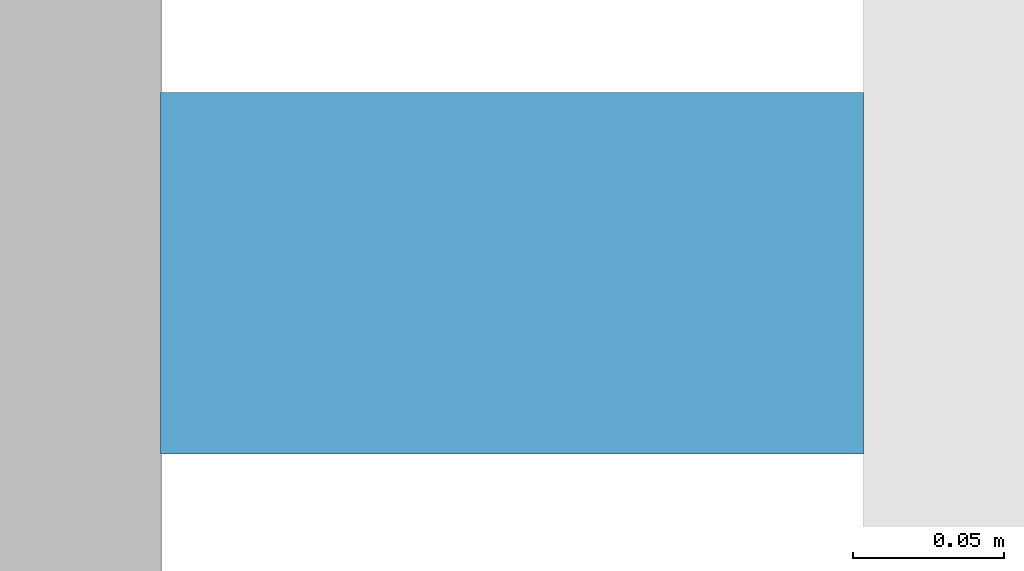
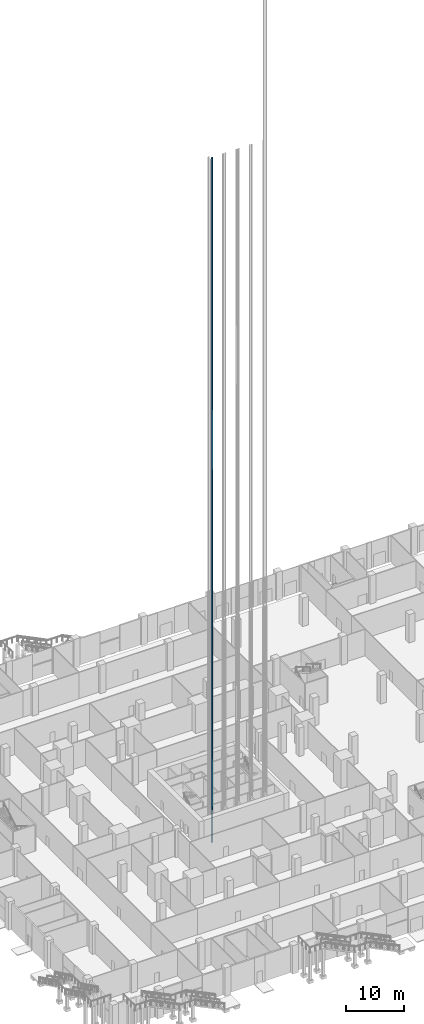
# One storey, part 42 of 68: 1 discrete accessory.
"""IFC4 building model written with IfcOpenShell, lengths in metres."""

import ifcopenshell
import ifcopenshell.guid

model = None  # the IFC model being written
_history = None  # IfcOwnerHistory: only IFC2X3 demands one
_inside = {}  # id of a spatial element -> (the spatial element, [elements in it])
_under = {}  # id of a project, library or spatial element -> (it, [spatial elements below it])
_declared = {}  # id of a project -> (the project, [libraries it declares])
_typed = {}  # id of a type object -> (the type object, [elements of that type])
_made_of = {}  # id of a material, layer set ... -> (it, [elements and type objects made of it])


def new_model(schema):
    """Start an empty IFC model of exactly this schema.

    Asked for "IFC4X3", IfcOpenShell would pick the latest addendum, in which some entities
    have other attributes; the version numbers below select the first issue.
    IFC2X3 requires an IfcOwnerHistory on every rooted entity: one is made here for all.
    """
    global model, _history
    if schema == "IFC4X3":
        model = ifcopenshell.file(schema_version=(4, 3, 0, 0))
    else:
        model = ifcopenshell.file(schema=schema)
    _inside.clear()
    _under.clear()
    _declared.clear()
    _typed.clear()
    _made_of.clear()
    _history = None
    if model.schema == "IFC2X3":
        org = make("IfcOrganization", Name="unknown")
        user = make(
            "IfcPersonAndOrganization",
            ThePerson=make("IfcPerson", FamilyName="unknown"),
            TheOrganization=org,
        )
        app = make(
            "IfcApplication",
            ApplicationDeveloper=org,
            Version="unknown",
            ApplicationFullName="unknown",
            ApplicationIdentifier="unknown",
        )
        _history = make(
            "IfcOwnerHistory",
            OwningUser=user,
            OwningApplication=app,
            ChangeAction="ADDED",
            CreationDate=0,
        )
    return model


def make(cls, **values):
    """One entity of the class cls with the attributes given. An attribute that is None is left unset."""
    return model.create_entity(
        cls, **{name: value for name, value in values.items() if value is not None}
    )


def rooted(cls, **values):
    """An entity with a GlobalId (a new one), such as an element, a storey or a relation."""
    return make(cls, GlobalId=ifcopenshell.guid.new(), OwnerHistory=_history, **values)


def si_unit(unit_type, name, prefix=None):
    """IfcSIUnit, for example si_unit("LENGTHUNIT", "METRE", prefix="MILLI")."""
    return make("IfcSIUnit", UnitType=unit_type, Prefix=prefix, Name=name)


def assignment(units):
    """IfcUnitAssignment: the units of a project."""
    return None if units is None else make("IfcUnitAssignment", Units=units)


def point(xyz):
    """IfcCartesianPoint."""
    return None if xyz is None else make("IfcCartesianPoint", Coordinates=xyz)


def direction(xyz):
    """IfcDirection."""
    return None if xyz is None else make("IfcDirection", DirectionRatios=xyz)


def frame(location, z_axis=None, x_axis=None):
    """IfcAxis2Placement3D, a coordinate frame: its origin and axes. An axis left out is left unset."""
    return make(
        "IfcAxis2Placement3D",
        Location=point(location),
        Axis=direction(z_axis),
        RefDirection=direction(x_axis),
    )


def frame_2d(location, x_axis=None):
    """IfcAxis2Placement2D, a coordinate frame in the plane: its origin and x axis."""
    return make(
        "IfcAxis2Placement2D", Location=point(location), RefDirection=direction(x_axis)
    )


def origin():
    """The frame at (0, 0, 0) with its axes left unset."""
    return frame((0.0, 0.0, 0.0))


def origin_2d():
    """The frame at (0, 0) in the plane with its x axis left unset."""
    return frame_2d((0.0, 0.0))


def place(relative_to, where):
    """IfcLocalPlacement: puts the frame where relative to a parent placement (None: the world)."""
    return make(
        "IfcLocalPlacement", PlacementRelTo=relative_to, RelativePlacement=where
    )


def context(
    kind, dimensions, precision=None, world=None, true_north=None, identifier=None
):
    """IfcGeometricRepresentationContext, for example the 3D "Model" context."""
    return make(
        "IfcGeometricRepresentationContext",
        ContextIdentifier=identifier,
        ContextType=kind,
        CoordinateSpaceDimension=dimensions,
        Precision=precision,
        WorldCoordinateSystem=world,
        TrueNorth=true_north,
    )


def subcontext(parent, identifier, kind, view, scale=None):
    """IfcGeometricRepresentationSubContext, for example "Body" below "Model"."""
    return make(
        "IfcGeometricRepresentationSubContext",
        ContextIdentifier=identifier,
        ContextType=kind,
        ParentContext=parent,
        TargetScale=scale,
        TargetView=view,
    )


def project(units=None, contexts=None):
    """IfcProject with its units and contexts."""
    return rooted(
        "IfcProject",
        Name="project",
        RepresentationContexts=contexts,
        UnitsInContext=assignment(units),
    )


def spatial(cls, under=None, at=None, **own):
    """A site, building, storey or space (cls), placed at a placement, below another one or the project."""
    s = rooted(cls, ObjectPlacement=at, **own)
    if under is not None:
        _under.setdefault(under.id(), (under, []))[1].append(s)
    return s


def profile(cls, at=None, kind="AREA", **sizes):
    """A parametric profile (cls). Its sizes go by their IFC names, for example OverallWidth=200.0."""
    return make(cls, ProfileType=kind, Position=at, **sizes)


def rectangle(**sizes):
    """IfcRectangleProfileDef."""
    return profile("IfcRectangleProfileDef", **sizes)


def extrude(swept, where, along, depth):
    """IfcExtrudedAreaSolid: the profile swept, set in the frame where, extruded along a direction by depth."""
    return make(
        "IfcExtrudedAreaSolid",
        SweptArea=swept,
        Position=where,
        ExtrudedDirection=direction(along),
        Depth=depth,
    )


def shape(context_of_items, identifier, shape_type, items):
    """IfcShapeRepresentation: the items that make up one representation, for example the "Body"."""
    return make(
        "IfcShapeRepresentation",
        ContextOfItems=context_of_items,
        RepresentationIdentifier=identifier,
        RepresentationType=shape_type,
        Items=items,
    )


def made_of(thing, what):
    """Note that an element or type object is made of a material, layer set ...; save() writes the relation."""
    if what is not None:
        _made_of.setdefault(what.id(), (what, []))[1].append(thing)
    return thing


def element(
    cls,
    number,
    at=None,
    inside=None,
    cuts=None,
    type_object=None,
    material=None,
    context=None,
    identifier="Body",
    shape_type=None,
    held_by="IfcProductDefinitionShape",
    body=None,
    shapes=None,
    **own,
):
    """One element of the class cls, such as IfcWall. Its Tag is "e" and its number.

    at: its placement. inside: the storey or other place that contains it. cuts: it is an
    opening in that element (IfcRelVoidsElement). A single representation is given by context,
    identifier, shape_type and body (its items); several are given by shapes. held_by: the class
    of the entity that holds the representations. save() writes the other relations.
    """
    e = rooted(cls, Tag="e%d" % number, ObjectPlacement=at, **own)
    if body is not None:
        shapes = [shape(context, identifier, shape_type, body)]
    if shapes is not None:
        e.Representation = make(held_by, Representations=shapes)
    if inside is not None:
        _inside.setdefault(inside.id(), (inside, []))[1].append(e)
    if cuts is not None:
        rooted(
            "IfcRelVoidsElement", RelatingBuildingElement=cuts, RelatedOpeningElement=e
        )
    if type_object is not None:
        _typed.setdefault(type_object.id(), (type_object, []))[1].append(e)
    return made_of(e, material)


def aggregate(whole, parts):
    """IfcRelAggregates: a whole, such as a stair, and the parts it consists of."""
    return rooted("IfcRelAggregates", RelatingObject=whole, RelatedObjects=parts)


def save(model, path):
    """Write the relations noted so far, then the file.

    IfcRelAggregates (storeys below a building ...), IfcRelContainedInSpatialStructure (elements
    in a storey), IfcRelDefinesByType, IfcRelAssociatesMaterial and IfcRelDeclares: one each for
    every whole, place, type object, material and project.
    """
    for whole, parts in _under.values():
        aggregate(whole, parts)
    for where, things in _inside.values():
        rooted(
            "IfcRelContainedInSpatialStructure",
            RelatedElements=things,
            RelatingStructure=where,
        )
    for kind, things in _typed.values():
        rooted("IfcRelDefinesByType", RelatedObjects=things, RelatingType=kind)
    for what, things in _made_of.values():
        rooted("IfcRelAssociatesMaterial", RelatedObjects=things, RelatingMaterial=what)
    for by, libraries in _declared.values():
        rooted("IfcRelDeclares", RelatingContext=by, RelatedDefinitions=libraries)
    model.write(path)


model = new_model("IFC4")

# Units and contexts
model_context = context("Model", 3, precision=1e-05, world=origin(), true_north=direction((0.0, 1.0)))
body_context = subcontext(model_context, "Body", "Model", "MODEL_VIEW")
ifc_project = project(units=[si_unit("LENGTHUNIT", "METRE"), si_unit("AREAUNIT", "SQUARE_METRE"), si_unit("VOLUMEUNIT", "CUBIC_METRE"), si_unit("PLANEANGLEUNIT", "RADIAN"), si_unit("MASSUNIT", "GRAM", prefix="KILO")], contexts=[model_context])

# Site, building, storey
site_placement = place(None, origin())
site = spatial("IfcSite", under=ifc_project, at=site_placement, CompositionType="ELEMENT")
building_placement = place(site_placement, origin())
building = spatial("IfcBuilding", under=site, at=building_placement, Name="Altepetl Exchange Towers", CompositionType="ELEMENT")
storey_placement = place(building_placement, origin())
storey = spatial("IfcBuildingStorey", under=building, at=storey_placement, Name="L00 Ground concourse", CompositionType="ELEMENT", Elevation=0.0)

# Discrete accessory
discrete_accessory_placement = place(storey_placement, frame((44.38330078125, 42.800048828125, -1.60009765625)))
element("IfcDiscreteAccessory", 1, at=discrete_accessory_placement, inside=storey, Name="Guide rail P2", ObjectType="GUIDE RAIL", PredefinedType="USERDEFINED", context=body_context, shape_type="SweptSolid", body=[
    extrude(rectangle(XDim=0.2333984375, YDim=0.1201171875, at=origin_2d()), origin(), (0.0, 0.0, 1.0), 144.85009765625),
])

save(model, "model.ifc")
